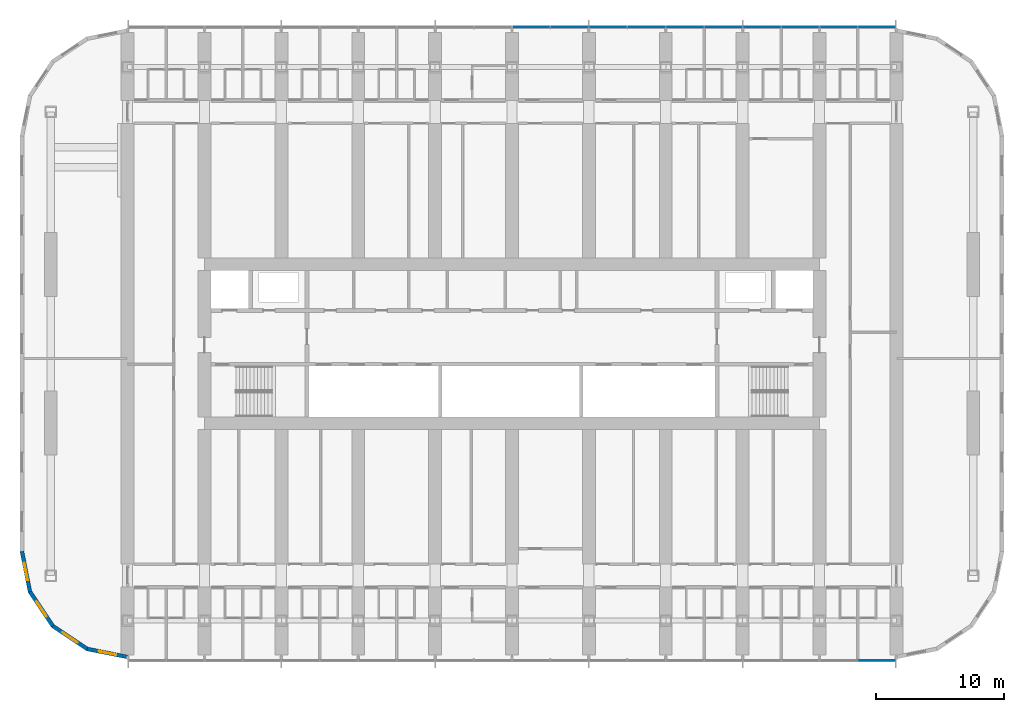
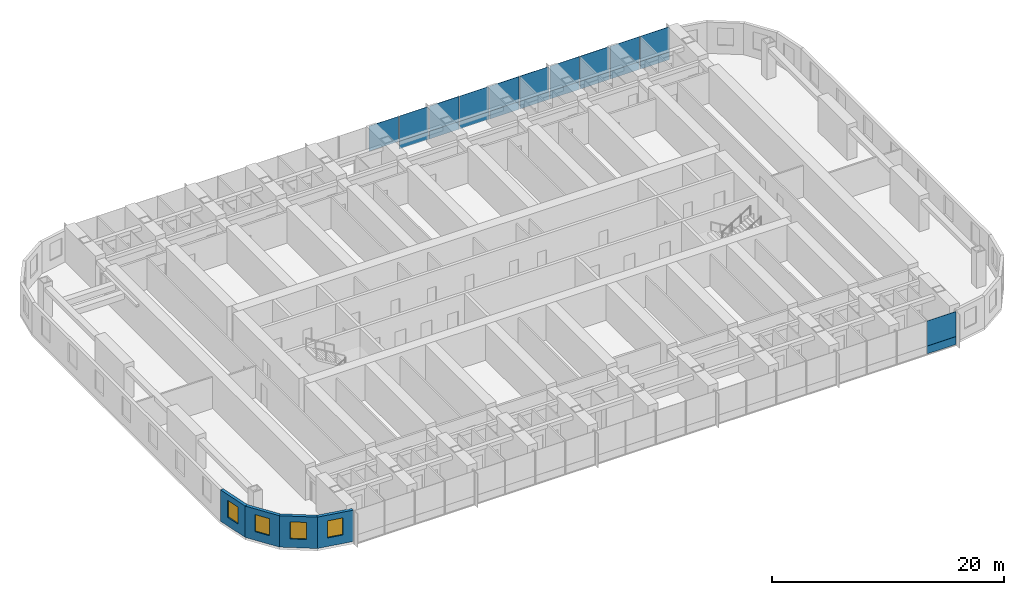
# One storey, part 9 of 24: 21 plates, 4 walls, 4 windows, 4 openings, 2 elements without a shape of their own.
"""IFC4 building model written with IfcOpenShell, lengths in metres."""

from ifc_helpers import new_model, si_unit, direction, frame, frame_2d, origin, origin_2d, place, context, subcontext, project, spatial, polyline, rectangle, outline, extrude, material, layer, layer_set, type_object, element, fill, aggregate, save


model = new_model("IFC4")

# Units and contexts
model_context = context("Model", 3, precision=1e-05, world=origin(), true_north=direction((0.0, 1.0)))
body_context = subcontext(model_context, "Body", "Model", "MODEL_VIEW")
ifc_project = project(units=[si_unit("LENGTHUNIT", "METRE"), si_unit("AREAUNIT", "SQUARE_METRE"), si_unit("VOLUMEUNIT", "CUBIC_METRE"), si_unit("PLANEANGLEUNIT", "RADIAN"), si_unit("MASSUNIT", "GRAM", prefix="KILO")], contexts=[model_context])

# Site, building, storey
site_placement = place(None, origin())
site = spatial("IfcSite", under=ifc_project, at=site_placement, CompositionType="ELEMENT")
building_placement = place(site_placement, origin())
building = spatial("IfcBuilding", under=site, at=building_placement, Name="Orbita Commons", CompositionType="ELEMENT")
storey_placement = place(building_placement, frame((0.0, 0.0, 35.199951171875)))
storey = spatial("IfcBuildingStorey", under=building, at=storey_placement, Name="L08", CompositionType="ELEMENT", Elevation=35.199951171875)

# Curtain wall, plate
ifc_material_1 = material(Name="Anodised aluminium frame, pale silver", Category="aluminium")
curtain_wall_type = type_object("IfcCurtainWallType", Name="Unitised curtain wall CW-T, vision and spandrel", PredefinedType="NOTDEFINED", material=ifc_material_1)
curtain_wall_1_placement = place(storey_placement, origin())
curtain_wall_1 = element("IfcCurtainWall", 1, at=curtain_wall_1_placement, inside=storey, type_object=curtain_wall_type, Name="Curtain wall south L08", PredefinedType="NOTDEFINED")
ifc_material_2 = material(Name="Anodised aluminium sheet on mineral wool", Category="aluminium")
ifc_layer_1 = layer(ifc_material_2, 0.050048828125)
ifc_layer_set_1 = layer_set([ifc_layer_1], Name="Anodised aluminium sheet on mineral wool")
plate_type_1 = type_object("IfcPlateType", Name="Spandrel panel, pale aluminium over insulation 50", PredefinedType="CURTAIN_PANEL", material=ifc_layer_set_1)
plate_1_placement = place(storey_placement, frame((70.47998046875, 7.2900390625, -0.14990234375), z_axis=(0.0, 0.0, 1.0), x_axis=(1.0, 0.0, 0.0)))
plate_1 = element("IfcPlate", 2, at=plate_1_placement, type_object=plate_type_1, Name="Panel 20.1 CW-L08-S", PredefinedType="CURTAIN_PANEL", context=body_context, shape_type="SweptSolid", body=[
    extrude(rectangle(XDim=2.8798828125, YDim=0.050048828125, at=origin_2d()), origin(), (0.0, 0.0, 1.0), 0.822998046875),
])

# Curtain wall, plates
curtain_wall_2_placement = place(storey_placement, origin())
curtain_wall_2 = element("IfcCurtainWall", 3, at=curtain_wall_2_placement, inside=storey, type_object=curtain_wall_type, Name="Curtain wall north L08", PredefinedType="NOTDEFINED")
plate_2_placement = place(storey_placement, frame((70.47998046875, 56.7099609375, -0.14990234375), z_axis=(0.0, 0.0, 1.0), x_axis=(-1.0, 0.0, 0.0)))
plate_2 = element("IfcPlate", 4, at=plate_2_placement, type_object=plate_type_1, Name="Panel 1.1 CW-L08-N", PredefinedType="CURTAIN_PANEL", context=body_context, shape_type="SweptSolid", body=[
    extrude(rectangle(XDim=2.8798828125, YDim=0.050048828125, at=origin_2d()), origin(), (0.0, 0.0, 1.0), 0.822998046875),
])
plate_3_placement = place(storey_placement, frame((67.5, 56.7099609375, -0.14990234375), z_axis=(0.0, 0.0, 1.0), x_axis=(-1.0, 0.0, 0.0)))
plate_3 = element("IfcPlate", 5, at=plate_3_placement, type_object=plate_type_1, Name="Panel 2.1 CW-L08-N", PredefinedType="CURTAIN_PANEL", context=body_context, shape_type="SweptSolid", body=[
    extrude(rectangle(XDim=2.919921875, YDim=0.050048828125, at=origin_2d()), origin(), (0.0, 0.0, 1.0), 0.822998046875),
])
plate_4_placement = place(storey_placement, frame((64.5, 56.7099609375, -0.14990234375), z_axis=(0.0, 0.0, 1.0), x_axis=(-1.0, 0.0, 0.0)))
plate_4 = element("IfcPlate", 6, at=plate_4_placement, type_object=plate_type_1, Name="Panel 3.1 CW-L08-N", PredefinedType="CURTAIN_PANEL", context=body_context, shape_type="SweptSolid", body=[
    extrude(rectangle(XDim=2.919921875, YDim=0.050048828125, at=origin_2d()), origin(), (0.0, 0.0, 1.0), 0.822998046875),
])
plate_5_placement = place(storey_placement, frame((61.5, 56.7099609375, -0.14990234375), z_axis=(0.0, 0.0, 1.0), x_axis=(-1.0, 0.0, 0.0)))
plate_5 = element("IfcPlate", 7, at=plate_5_placement, type_object=plate_type_1, Name="Panel 4.1 CW-L08-N", PredefinedType="CURTAIN_PANEL", context=body_context, shape_type="SweptSolid", body=[
    extrude(rectangle(XDim=2.919921875, YDim=0.050048828125, at=origin_2d()), origin(), (0.0, 0.0, 1.0), 0.822998046875),
])
plate_6_placement = place(storey_placement, frame((58.5, 56.7099609375, -0.14990234375), z_axis=(0.0, 0.0, 1.0), x_axis=(-1.0, 0.0, 0.0)))
plate_6 = element("IfcPlate", 8, at=plate_6_placement, type_object=plate_type_1, Name="Panel 5.1 CW-L08-N", PredefinedType="CURTAIN_PANEL", context=body_context, shape_type="SweptSolid", body=[
    extrude(rectangle(XDim=2.919921875, YDim=0.050048828125, at=origin_2d()), origin(), (0.0, 0.0, 1.0), 0.822998046875),
])
plate_7_placement = place(storey_placement, frame((55.5, 56.7099609375, -0.14990234375), z_axis=(0.0, 0.0, 1.0), x_axis=(-1.0, 0.0, 0.0)))
plate_7 = element("IfcPlate", 9, at=plate_7_placement, type_object=plate_type_1, Name="Panel 6.1 CW-L08-N", PredefinedType="CURTAIN_PANEL", context=body_context, shape_type="SweptSolid", body=[
    extrude(rectangle(XDim=2.919921875, YDim=0.050048828125, at=origin_2d()), origin(), (0.0, 0.0, 1.0), 0.822998046875),
])
plate_8_placement = place(storey_placement, frame((52.5, 56.7099609375, -0.14990234375), z_axis=(0.0, 0.0, 1.0), x_axis=(-1.0, 0.0, 0.0)))
plate_8 = element("IfcPlate", 10, at=plate_8_placement, type_object=plate_type_1, Name="Panel 7.1 CW-L08-N", PredefinedType="CURTAIN_PANEL", context=body_context, shape_type="SweptSolid", body=[
    extrude(rectangle(XDim=2.919921875, YDim=0.050048828125, at=origin_2d()), origin(), (0.0, 0.0, 1.0), 0.822998046875),
])
plate_9_placement = place(storey_placement, frame((49.5, 56.7099609375, -0.14990234375), z_axis=(0.0, 0.0, 1.0), x_axis=(-1.0, 0.0, 0.0)))
plate_9 = element("IfcPlate", 11, at=plate_9_placement, type_object=plate_type_1, Name="Panel 8.1 CW-L08-N", PredefinedType="CURTAIN_PANEL", context=body_context, shape_type="SweptSolid", body=[
    extrude(rectangle(XDim=2.919921875, YDim=0.050048828125, at=origin_2d()), origin(), (0.0, 0.0, 1.0), 0.822998046875),
])
plate_10_placement = place(storey_placement, frame((46.5, 56.7099609375, -0.14990234375), z_axis=(0.0, 0.0, 1.0), x_axis=(-1.0, 0.0, 0.0)))
plate_10 = element("IfcPlate", 12, at=plate_10_placement, type_object=plate_type_1, Name="Panel 9.1 CW-L08-N", PredefinedType="CURTAIN_PANEL", context=body_context, shape_type="SweptSolid", body=[
    extrude(rectangle(XDim=2.919921875, YDim=0.050048828125, at=origin_2d()), origin(), (0.0, 0.0, 1.0), 0.822998046875),
])

# Plate
ifc_material_3 = material(Name="Clear double glazing", Category="glass")
ifc_layer_2 = layer(ifc_material_3, 0.031982421875)
ifc_layer_set_2 = layer_set([ifc_layer_2], Name="Clear double glazing")
plate_type_2 = type_object("IfcPlateType", Name="Vision panel, clear double glazing 32", PredefinedType="CURTAIN_PANEL", material=ifc_layer_set_2)
plate_11_placement = place(storey_placement, frame((70.47998046875, 7.2900390625, 0.673095703125), z_axis=(0.0, 0.0, 1.0), x_axis=(1.0, 0.0, 0.0)))
plate_11 = element("IfcPlate", 13, at=plate_11_placement, type_object=plate_type_2, Name="Panel 20.2 CW-L08-S", PredefinedType="CURTAIN_PANEL", context=body_context, shape_type="SweptSolid", body=[
    extrude(rectangle(XDim=2.8798828125, YDim=0.031982421875, at=origin_2d()), origin(), (0.0, 0.0, 1.0), 2.626953125),
])

aggregate(curtain_wall_1, [plate_1, plate_11])

plate_12_placement = place(storey_placement, frame((70.47998046875, 56.7099609375, 0.673095703125), z_axis=(0.0, 0.0, 1.0), x_axis=(-1.0, 0.0, 0.0)))
plate_12 = element("IfcPlate", 14, at=plate_12_placement, type_object=plate_type_2, Name="Panel 1.2 CW-L08-N", PredefinedType="CURTAIN_PANEL", context=body_context, shape_type="SweptSolid", body=[
    extrude(rectangle(XDim=2.8798828125, YDim=0.031982421875, at=origin_2d()), origin(), (0.0, 0.0, 1.0), 2.626953125),
])

plate_13_placement = place(storey_placement, frame((67.5, 56.7099609375, 0.673095703125), z_axis=(0.0, 0.0, 1.0), x_axis=(-1.0, 0.0, 0.0)))
plate_13 = element("IfcPlate", 15, at=plate_13_placement, type_object=plate_type_2, Name="Panel 2.2 CW-L08-N", PredefinedType="CURTAIN_PANEL", context=body_context, shape_type="SweptSolid", body=[
    extrude(rectangle(XDim=2.919921875, YDim=0.031982421875, at=origin_2d()), origin(), (0.0, 0.0, 1.0), 2.626953125),
])

plate_14_placement = place(storey_placement, frame((64.5, 56.7099609375, 0.673095703125), z_axis=(0.0, 0.0, 1.0), x_axis=(-1.0, 0.0, 0.0)))
plate_14 = element("IfcPlate", 16, at=plate_14_placement, type_object=plate_type_2, Name="Panel 3.2 CW-L08-N", PredefinedType="CURTAIN_PANEL", context=body_context, shape_type="SweptSolid", body=[
    extrude(rectangle(XDim=2.919921875, YDim=0.031982421875, at=origin_2d()), origin(), (0.0, 0.0, 1.0), 2.626953125),
])

plate_15_placement = place(storey_placement, frame((61.5, 56.7099609375, 0.673095703125), z_axis=(0.0, 0.0, 1.0), x_axis=(-1.0, 0.0, 0.0)))
plate_15 = element("IfcPlate", 17, at=plate_15_placement, type_object=plate_type_2, Name="Panel 4.2 CW-L08-N", PredefinedType="CURTAIN_PANEL", context=body_context, shape_type="SweptSolid", body=[
    extrude(rectangle(XDim=2.919921875, YDim=0.031982421875, at=origin_2d()), origin(), (0.0, 0.0, 1.0), 2.626953125),
])

plate_16_placement = place(storey_placement, frame((58.5, 56.7099609375, 0.673095703125), z_axis=(0.0, 0.0, 1.0), x_axis=(-1.0, 0.0, 0.0)))
plate_16 = element("IfcPlate", 18, at=plate_16_placement, type_object=plate_type_2, Name="Panel 5.2 CW-L08-N", PredefinedType="CURTAIN_PANEL", context=body_context, shape_type="SweptSolid", body=[
    extrude(rectangle(XDim=2.919921875, YDim=0.031982421875, at=origin_2d()), origin(), (0.0, 0.0, 1.0), 2.626953125),
])

plate_17_placement = place(storey_placement, frame((55.5, 56.7099609375, 0.673095703125), z_axis=(0.0, 0.0, 1.0), x_axis=(-1.0, 0.0, 0.0)))
plate_17 = element("IfcPlate", 19, at=plate_17_placement, type_object=plate_type_2, Name="Panel 6.2 CW-L08-N", PredefinedType="CURTAIN_PANEL", context=body_context, shape_type="SweptSolid", body=[
    extrude(rectangle(XDim=2.919921875, YDim=0.031982421875, at=origin_2d()), origin(), (0.0, 0.0, 1.0), 2.626953125),
])

plate_18_placement = place(storey_placement, frame((52.5, 56.7099609375, 0.673095703125), z_axis=(0.0, 0.0, 1.0), x_axis=(-1.0, 0.0, 0.0)))
plate_18 = element("IfcPlate", 20, at=plate_18_placement, type_object=plate_type_2, Name="Panel 7.2 CW-L08-N", PredefinedType="CURTAIN_PANEL", context=body_context, shape_type="SweptSolid", body=[
    extrude(rectangle(XDim=2.919921875, YDim=0.031982421875, at=origin_2d()), origin(), (0.0, 0.0, 1.0), 2.626953125),
])

plate_19_placement = place(storey_placement, frame((49.5, 56.7099609375, 0.673095703125), z_axis=(0.0, 0.0, 1.0), x_axis=(-1.0, 0.0, 0.0)))
plate_19 = element("IfcPlate", 21, at=plate_19_placement, type_object=plate_type_2, Name="Panel 8.2 CW-L08-N", PredefinedType="CURTAIN_PANEL", context=body_context, shape_type="SweptSolid", body=[
    extrude(rectangle(XDim=2.919921875, YDim=0.031982421875, at=origin_2d()), origin(), (0.0, 0.0, 1.0), 2.626953125),
])

plate_20_placement = place(storey_placement, frame((46.5, 56.7099609375, 0.673095703125), z_axis=(0.0, 0.0, 1.0), x_axis=(-1.0, 0.0, 0.0)))
plate_20 = element("IfcPlate", 22, at=plate_20_placement, type_object=plate_type_2, Name="Panel 9.2 CW-L08-N", PredefinedType="CURTAIN_PANEL", context=body_context, shape_type="SweptSolid", body=[
    extrude(rectangle(XDim=2.919921875, YDim=0.031982421875, at=origin_2d()), origin(), (0.0, 0.0, 1.0), 2.626953125),
])

plate_21_placement = place(storey_placement, frame((43.5, 56.7099609375, 0.673095703125), z_axis=(0.0, 0.0, 1.0), x_axis=(-1.0, 0.0, 0.0)))
plate_21 = element("IfcPlate", 23, at=plate_21_placement, type_object=plate_type_2, Name="Panel 10.2 CW-L08-N", PredefinedType="CURTAIN_PANEL", context=body_context, shape_type="SweptSolid", body=[
    extrude(rectangle(XDim=2.919921875, YDim=0.031982421875, at=origin_2d()), origin(), (0.0, 0.0, 1.0), 2.626953125),
])

aggregate(curtain_wall_2, [plate_2, plate_12, plate_3, plate_13, plate_4, plate_14, plate_5, plate_15, plate_6, plate_16, plate_7, plate_17, plate_8, plate_18, plate_9, plate_19, plate_10, plate_20, plate_21])

# Wall, opening, window
ifc_material_4 = material(Name="Precast concrete C40/50, white board-marked finish", Category="concrete")
ifc_layer_3 = layer(ifc_material_4, 0.300048828125)
ifc_layer_set_3 = layer_set([ifc_layer_3], Name="Precast concrete C40/50, white board-marked finish")
wall_type = type_object("IfcWallType", Name="Precast concrete end shield 300", PredefinedType="SOLIDWALL", material=ifc_layer_set_3)
wall_1_placement = place(storey_placement, frame((3.75, 15.800048828125, 0.0), z_axis=(0.0, 0.0, 1.0), x_axis=(0.195065901187, -0.980790137692, 0.0)))
wall_1 = element("IfcWall", 24, at=wall_1_placement, inside=storey, type_object=wall_type, Name="End shield SW chord 1 L08", PredefinedType="SOLIDWALL", context=body_context, shape_type="SweptSolid", body=[
    extrude(outline(polyline([(-0.014892578125, -0.14990234375), (3.248779296875, -0.14990234375), (3.189208984375, 0.14990234375), (0.014892578125, 0.14990234375), (-0.014892578125, -0.14990234375)])), origin(), (0.0, 0.0, 1.0), 3.300048828125),
])
opening_1_placement = place(wall_1_placement, frame((0.909423828125, 0.0, 0.89990234375)))
opening_1 = element("IfcOpeningElement", 25, at=opening_1_placement, cuts=wall_1, Name="Opening W02", PredefinedType="OPENING", context=body_context, shape_type="SweptSolid", body=[
    extrude(rectangle(XDim=1.39990234375, YDim=1.800048828125, at=frame_2d((0.699951171875, 0.89990234375))), frame((0.0, 0.159912109375, 0.0), z_axis=(0.0, -1.0, 0.0), x_axis=(1.0, 0.0, 0.0)), (0.0, 0.0, 1.0), 0.320068359375),
])
ifc_material_5 = material(Name="Aluminium frame, clear double glazing", Category="aluminium")
window_type = type_object("IfcWindowType", Name="Deep-set window 1400x1800", PartitioningType="SINGLE_PANEL", PredefinedType="WINDOW", material=ifc_material_5)
window_1_placement = place(opening_1_placement, origin())
window_1 = element("IfcWindow", 26, at=window_1_placement, inside=storey, type_object=window_type, Name="Window L08-SW0", OverallHeight=1.800048828125, OverallWidth=1.39990234375, PartitioningType="SINGLE_PANEL", PredefinedType="WINDOW", context=body_context, shape_type="SweptSolid", body=[
    extrude(rectangle(XDim=1.39990234375, YDim=1.800048828125, at=frame_2d((0.699951171875, 0.89990234375))), frame((0.0, 0.030029296875, 0.0), z_axis=(0.0, -1.0, 0.0), x_axis=(1.0, 0.0, 0.0)), (0.0, 0.0, 1.0), 0.06005859375),
])
fill(opening_1, window_1)

wall_2_placement = place(storey_placement, frame((4.3779296875, 12.642822265625, 0.0), z_axis=(0.0, 0.0, 1.0), x_axis=(0.555609954424, -0.831443069936, 0.0)))
wall_2 = element("IfcWall", 27, at=wall_2_placement, inside=storey, type_object=wall_type, Name="End shield SW chord 2 L08", PredefinedType="SOLIDWALL", context=body_context, shape_type="SweptSolid", body=[
    extrude(outline(polyline([(-0.02978515625, -0.14990234375), (3.2490234375, -0.14990234375), (3.189453125, 0.14990234375), (0.02978515625, 0.14990234375), (-0.02978515625, -0.14990234375)])), origin(), (0.0, 0.0, 1.0), 3.300048828125),
])
opening_2_placement = place(wall_2_placement, frame((0.909423828125, 0.0, 0.89990234375)))
opening_2 = element("IfcOpeningElement", 28, at=opening_2_placement, cuts=wall_2, Name="Opening W02", PredefinedType="OPENING", context=body_context, shape_type="SweptSolid", body=[
    extrude(rectangle(XDim=1.39990234375, YDim=1.800048828125, at=frame_2d((0.699951171875, 0.89990234375))), frame((0.0, 0.159912109375, 0.0), z_axis=(0.0, -1.0, 0.0), x_axis=(1.0, 0.0, 0.0)), (0.0, 0.0, 1.0), 0.320068359375),
])
window_2_placement = place(opening_2_placement, origin())
window_2 = element("IfcWindow", 29, at=window_2_placement, inside=storey, type_object=window_type, Name="Window L08-SW1", OverallHeight=1.800048828125, OverallWidth=1.39990234375, PartitioningType="SINGLE_PANEL", PredefinedType="WINDOW", context=body_context, shape_type="SweptSolid", body=[
    extrude(rectangle(XDim=1.39990234375, YDim=1.800048828125, at=frame_2d((0.699951171875, 0.89990234375))), frame((0.0, 0.030029296875, 0.0), z_axis=(0.0, -1.0, 0.0), x_axis=(1.0, 0.0, 0.0)), (0.0, 0.0, 1.0), 0.06005859375),
])
fill(opening_2, window_2)

wall_3_placement = place(storey_placement, frame((6.16650390625, 9.96630859375, 0.0), z_axis=(0.0, 0.0, 1.0), x_axis=(0.831478105043, -0.555557522525, 0.0)))
wall_3 = element("IfcWall", 30, at=wall_3_placement, inside=storey, type_object=wall_type, Name="End shield SW chord 3 L08", PredefinedType="SOLIDWALL", context=body_context, shape_type="SweptSolid", body=[
    extrude(outline(polyline([(-0.02978515625, -0.14990234375), (3.248779296875, -0.14990234375), (3.189208984375, 0.14990234375), (0.02978515625, 0.14990234375), (-0.02978515625, -0.14990234375)])), origin(), (0.0, 0.0, 1.0), 3.300048828125),
])
opening_3_placement = place(wall_3_placement, frame((0.909423828125, 0.0, 0.89990234375)))
opening_3 = element("IfcOpeningElement", 31, at=opening_3_placement, cuts=wall_3, Name="Opening W02", PredefinedType="OPENING", context=body_context, shape_type="SweptSolid", body=[
    extrude(rectangle(XDim=1.39990234375, YDim=1.800048828125, at=frame_2d((0.699951171875, 0.89990234375))), frame((0.0, 0.159912109375, 0.0), z_axis=(0.0, -1.0, 0.0), x_axis=(1.0, 0.0, 0.0)), (0.0, 0.0, 1.0), 0.320068359375),
])
window_3_placement = place(opening_3_placement, origin())
window_3 = element("IfcWindow", 32, at=window_3_placement, inside=storey, type_object=window_type, Name="Window L08-SW2", OverallHeight=1.800048828125, OverallWidth=1.39990234375, PartitioningType="SINGLE_PANEL", PredefinedType="WINDOW", context=body_context, shape_type="SweptSolid", body=[
    extrude(rectangle(XDim=1.39990234375, YDim=1.800048828125, at=frame_2d((0.699951171875, 0.89990234375))), frame((0.0, 0.030029296875, 0.0), z_axis=(0.0, -1.0, 0.0), x_axis=(1.0, 0.0, 0.0)), (0.0, 0.0, 1.0), 0.06005859375),
])
fill(opening_3, window_3)

wall_4_placement = place(storey_placement, frame((8.843017578125, 8.177978515625, 0.0), z_axis=(0.0, 0.0, 1.0), x_axis=(0.980787251524, -0.195080412259, 0.0)))
wall_4 = element("IfcWall", 33, at=wall_4_placement, inside=storey, type_object=wall_type, Name="End shield SW chord 4 L08", PredefinedType="SOLIDWALL", context=body_context, shape_type="SweptSolid", body=[
    extrude(outline(polyline([(-0.02978515625, -0.14990234375), (3.24853515625, -0.14990234375), (3.18896484375, 0.14990234375), (0.02978515625, 0.14990234375), (-0.02978515625, -0.14990234375)])), origin(), (0.0, 0.0, 1.0), 3.300048828125),
])
opening_4_placement = place(wall_4_placement, frame((0.909423828125, 0.0, 0.89990234375)))
opening_4 = element("IfcOpeningElement", 34, at=opening_4_placement, cuts=wall_4, Name="Opening W02", PredefinedType="OPENING", context=body_context, shape_type="SweptSolid", body=[
    extrude(rectangle(XDim=1.39990234375, YDim=1.800048828125, at=frame_2d((0.699951171875, 0.89990234375))), frame((0.0, 0.159912109375, 0.0), z_axis=(0.0, -1.0, 0.0), x_axis=(1.0, 0.0, 0.0)), (0.0, 0.0, 1.0), 0.320068359375),
])
window_4_placement = place(opening_4_placement, origin())
window_4 = element("IfcWindow", 35, at=window_4_placement, inside=storey, type_object=window_type, Name="Window L08-SW3", OverallHeight=1.800048828125, OverallWidth=1.39990234375, PartitioningType="SINGLE_PANEL", PredefinedType="WINDOW", context=body_context, shape_type="SweptSolid", body=[
    extrude(rectangle(XDim=1.39990234375, YDim=1.800048828125, at=frame_2d((0.699951171875, 0.89990234375))), frame((0.0, 0.030029296875, 0.0), z_axis=(0.0, -1.0, 0.0), x_axis=(1.0, 0.0, 0.0)), (0.0, 0.0, 1.0), 0.06005859375),
])
fill(opening_4, window_4)

save(model, "model.ifc")
